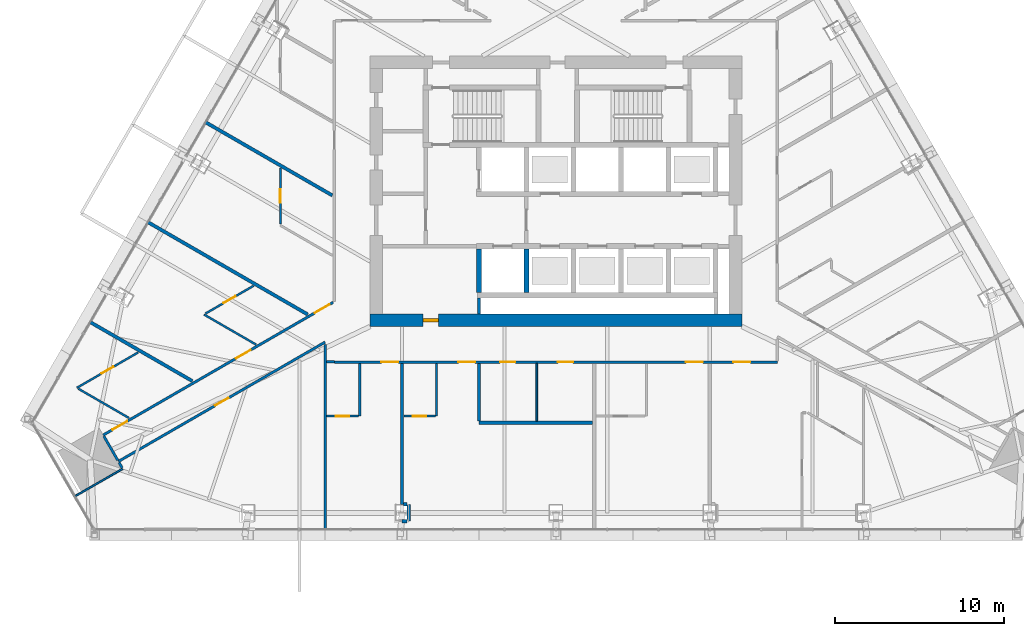
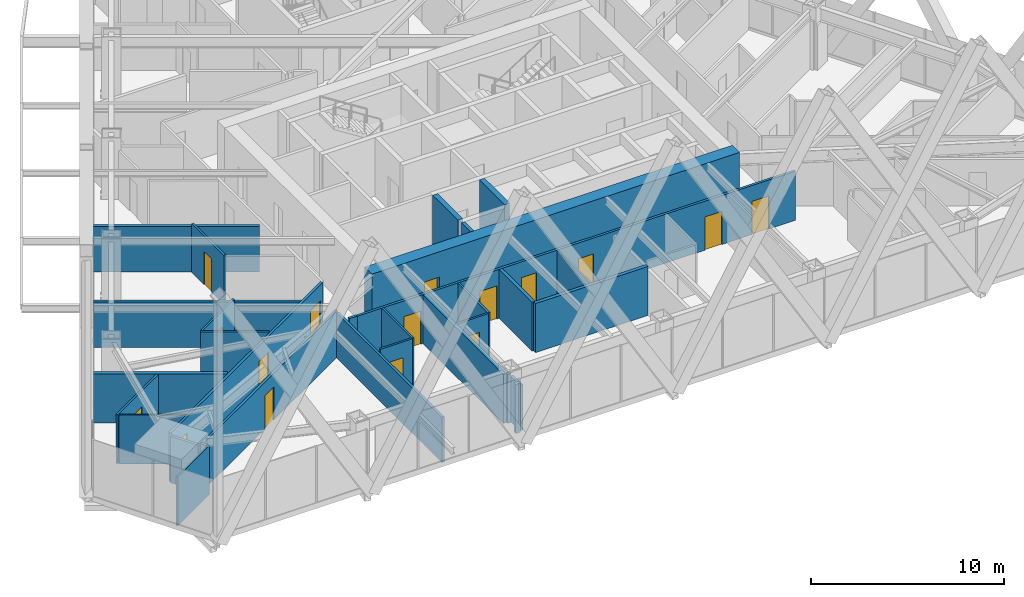
# One storey, part 15 of 26: 31 walls, 16 doors, 16 openings.
"""IFC4 building model written with IfcOpenShell, lengths in metres."""

from ifc_helpers import new_model, si_unit, direction, frame, frame_2d, origin, place, context, subcontext, project, spatial, rectangle, extrude, material, layer, layer_set, type_object, element, fill, save


model = new_model("IFC4")

# Units and contexts
model_context = context("Model", 3, precision=1e-05, world=origin(), true_north=direction((0.0, 1.0)))
body_context = subcontext(model_context, "Body", "Model", "MODEL_VIEW")
ifc_project = project(units=[si_unit("LENGTHUNIT", "METRE"), si_unit("AREAUNIT", "SQUARE_METRE"), si_unit("VOLUMEUNIT", "CUBIC_METRE"), si_unit("PLANEANGLEUNIT", "RADIAN"), si_unit("MASSUNIT", "GRAM", prefix="KILO")], contexts=[model_context])

# Site, building, storey
site_placement = place(None, origin())
site = spatial("IfcSite", under=ifc_project, at=site_placement, CompositionType="ELEMENT")
building_placement = place(site_placement, origin())
building = spatial("IfcBuilding", under=site, at=building_placement, Name="Firuza Gate Tower and Library", CompositionType="ELEMENT")
storey_placement = place(building_placement, frame((0.0, 0.0, 155.800048828125)))
storey = spatial("IfcBuildingStorey", under=building, at=storey_placement, Name="L35", CompositionType="ELEMENT", Elevation=155.800048828125)

# Walls
ifc_material_1 = material(Name="Plasterboard on steel studs", Category="steel")
ifc_layer_1 = layer(ifc_material_1, 0.199951171875)
ifc_layer_set_1 = layer_set([ifc_layer_1], Name="Core partition 200 EI 120")
wall_type_1 = type_object("IfcWallType", Name="Core partition 200 EI 120", PredefinedType="PARTITIONING", material=ifc_layer_set_1)
wall_1_placement = place(storey_placement, frame((70.449951171875, 67.75, 0.0), z_axis=(0.0, 0.0, 1.0), x_axis=(0.0, 1.0, 0.0)))
element("IfcWall", 1, at=wall_1_placement, inside=storey, type_object=wall_type_1, Name="Core partition L35 9", PredefinedType="PARTITIONING", context=body_context, shape_type="SweptSolid", body=[
    extrude(rectangle(XDim=0.949951171875, YDim=0.199951171875, at=frame_2d((0.47509765625, 0.0))), origin(), (0.0, 0.0, 1.0), 3.699951171875),
])
ifc_material_2 = material(Name="Concrete C80/95", Category="concrete")
ifc_layer_2 = layer(ifc_material_2, 0.300048828125)
ifc_layer_set_2 = layer_set([ifc_layer_2], Name="Core wall 300 C80/95")
wall_type_2 = type_object("IfcWallType", Name="Core wall 300 C80/95", PredefinedType="SHEAR", material=ifc_layer_set_2)
for number, where, z_axis, x_axis, name in (
    (2, (70.449951171875, 69.0, 0.0), (0.0, 0.0, 1.0), (0.0, 1.0, 0.0), "Core wall L35 8"),
    (3, (73.25, 69.0, 0.0), (0.0, 0.0, 1.0), (0.0, 1.0, 0.0), "Core wall L35 10"),
):
    element("IfcWall", number, at=place(storey_placement, frame(where, z_axis=z_axis, x_axis=x_axis)), inside=storey, type_object=wall_type_2, Name=name, PredefinedType="SHEAR", context=body_context, shape_type="SweptSolid", body=[
        extrude(rectangle(XDim=2.60009765625, YDim=0.300048828125, at=frame_2d((1.300048828125, 0.0))), origin(), (0.0, 0.0, 1.0), 3.699951171875),
    ])

# Wall, opening, door
ifc_material_3 = material(Name="Concrete C80/95", Category="concrete")
ifc_layer_3 = layer(ifc_material_3, 0.75)
ifc_layer_set_3 = layer_set([ifc_layer_3], Name="Core wall 750 C80/95")
wall_type_3 = type_object("IfcWallType", Name="Core wall 750 C80/95", PredefinedType="SHEAR", material=ifc_layer_set_3)
wall_2_placement = place(storey_placement, frame((64.0, 67.375, 0.0), z_axis=(0.0, 0.0, 1.0), x_axis=(1.0, 0.0, 0.0)))
wall_2 = element("IfcWall", 4, at=wall_2_placement, inside=storey, type_object=wall_type_3, Name="Core wall L35 1", PredefinedType="SHEAR", context=body_context, shape_type="SweptSolid", body=[
    extrude(rectangle(XDim=22.0, YDim=0.75, at=frame_2d((11.0, 0.0))), origin(), (0.0, 0.0, 1.0), 3.699951171875),
])
opening_1_placement = place(wall_2_placement, frame((3.14990234375, 0.0, 0.0)))
opening_1 = element("IfcOpeningElement", 5, at=opening_1_placement, cuts=wall_2, Name="Opening L35-K22", PredefinedType="OPENING", context=body_context, shape_type="SweptSolid", body=[
    extrude(rectangle(XDim=0.89990234375, YDim=2.10009765625, at=frame_2d((0.449951171875, 1.050048828125))), frame((0.0, 0.385009765625, 0.0), z_axis=(0.0, -1.0, 0.0), x_axis=(1.0, 0.0, 0.0)), (0.0, 0.0, 1.0), 0.77001953125),
])
ifc_material_4 = material(Name="Steel", Category="steel")
door_type_1 = type_object("IfcDoorType", Name="Fire door 900x2100 FD30S", OperationType="NOTDEFINED", PredefinedType="DOOR", material=ifc_material_4)
door_1_placement = place(opening_1_placement, origin())
door_1 = element("IfcDoor", 6, at=door_1_placement, inside=storey, type_object=door_type_1, Name="Door L35-K22", OperationType="SINGLE_SWING_LEFT", OverallHeight=2.10009765625, OverallWidth=0.89990234375, PredefinedType="DOOR", context=body_context, shape_type="SweptSolid", body=[
    extrude(rectangle(XDim=0.89990234375, YDim=2.10009765625, at=frame_2d((0.449951171875, 1.050048828125))), frame((0.0, 0.094970703125, 0.0), z_axis=(0.0, -1.0, 0.0), x_axis=(1.0, 0.0, 0.0)), (0.0, 0.0, 1.0), 0.18994140625),
])
fill(opening_1, door_1)

# Wall, openings, doors
ifc_material_5 = material(Name="Gypsum board partition")
ifc_layer_4 = layer(ifc_material_5, 0.14990234375)
ifc_layer_set_4 = layer_set([ifc_layer_4], Name="Corridor wall 150 double board on steel studs")
wall_type_4 = type_object("IfcWallType", Name="Corridor wall 150 double board on steel studs", PredefinedType="PARTITIONING", material=ifc_layer_set_4)
wall_3_placement = place(storey_placement, frame((88.10009765625, 64.89990234375, 0.0), z_axis=(0.0, 0.0, 1.0), x_axis=(-1.0, 0.0, 0.0)))
wall_3 = element("IfcWall", 7, at=wall_3_placement, inside=storey, type_object=wall_type_4, Name="f:L35:w011", PredefinedType="PARTITIONING", context=body_context, shape_type="SweptSolid", body=[
    extrude(rectangle(XDim=26.19970703125, YDim=0.14990234375, at=frame_2d((13.099853515625, 0.0))), origin(), (0.0, 0.0, 1.0), 3.099853515625),
])
opening_2_placement = place(wall_3_placement, frame((1.6015625, 0.0, 0.0)))
opening_2 = element("IfcOpeningElement", 8, at=opening_2_placement, cuts=wall_3, Name="Opening L35-04", PredefinedType="OPENING", context=body_context, shape_type="SweptSolid", body=[
    extrude(rectangle(XDim=1.0, YDim=2.10009765625, at=frame_2d((0.5, 1.050048828125))), frame((0.0, 0.0849609375, 0.0), z_axis=(0.0, -1.0, 0.0), x_axis=(1.0, 0.0, 0.0)), (0.0, 0.0, 1.0), 0.169921875),
])
opening_3_placement = place(wall_3_placement, frame((4.410888671875, 0.0, 0.0)))
opening_3 = element("IfcOpeningElement", 9, at=opening_3_placement, cuts=wall_3, Name="Opening L35-05", PredefinedType="OPENING", context=body_context, shape_type="SweptSolid", body=[
    extrude(rectangle(XDim=1.0, YDim=2.10009765625, at=frame_2d((0.5, 1.050048828125))), frame((0.0, 0.0849609375, 0.0), z_axis=(0.0, -1.0, 0.0), x_axis=(1.0, 0.0, 0.0)), (0.0, 0.0, 1.0), 0.169921875),
])
opening_4_placement = place(wall_3_placement, frame((12.081298828125, 0.0, 0.0)))
opening_4 = element("IfcOpeningElement", 10, at=opening_4_placement, cuts=wall_3, Name="Opening L35-06", PredefinedType="OPENING", context=body_context, shape_type="SweptSolid", body=[
    extrude(rectangle(XDim=0.89990234375, YDim=2.10009765625, at=frame_2d((0.449951171875, 1.050048828125))), frame((0.0, 0.0849609375, 0.0), z_axis=(0.0, -1.0, 0.0), x_axis=(1.0, 0.0, 0.0)), (0.0, 0.0, 1.0), 0.169921875),
])
opening_5_placement = place(wall_3_placement, frame((15.49365234375, 0.0, 0.0)))
opening_5 = element("IfcOpeningElement", 11, at=opening_5_placement, cuts=wall_3, Name="Opening L35-07", PredefinedType="OPENING", context=body_context, shape_type="SweptSolid", body=[
    extrude(rectangle(XDim=0.89990234375, YDim=2.10009765625, at=frame_2d((0.449951171875, 1.050048828125))), frame((0.0, 0.0849609375, 0.0), z_axis=(0.0, -1.0, 0.0), x_axis=(1.0, 0.0, 0.0)), (0.0, 0.0, 1.0), 0.169921875),
])
opening_6_placement = place(wall_3_placement, frame((17.873291015625, 0.0, 0.0)))
opening_6 = element("IfcOpeningElement", 12, at=opening_6_placement, cuts=wall_3, Name="Opening L35-08", PredefinedType="OPENING", context=body_context, shape_type="SweptSolid", body=[
    extrude(rectangle(XDim=1.0, YDim=2.10009765625, at=frame_2d((0.5, 1.050048828125))), frame((0.0, 0.0849609375, 0.0), z_axis=(0.0, -1.0, 0.0), x_axis=(1.0, 0.0, 0.0)), (0.0, 0.0, 1.0), 0.169921875),
])
opening_7_placement = place(wall_3_placement, frame((22.42333984375, 0.0, 0.0)))
opening_7 = element("IfcOpeningElement", 13, at=opening_7_placement, cuts=wall_3, Name="Opening L35-09", PredefinedType="OPENING", context=body_context, shape_type="SweptSolid", body=[
    extrude(rectangle(XDim=1.0, YDim=2.10009765625, at=frame_2d((0.5, 1.050048828125))), frame((0.0, 0.0849609375, 0.0), z_axis=(0.0, -1.0, 0.0), x_axis=(1.0, 0.0, 0.0)), (0.0, 0.0, 1.0), 0.169921875),
])
ifc_material_6 = material(Name="Steel door and timber leaf", Category="steel")
door_type_2 = type_object("IfcDoorType", Name="Fire door 1000 x 2100 steel frame, timber leaf", OperationType="NOTDEFINED", PredefinedType="DOOR", material=ifc_material_6)
door_2_placement = place(opening_2_placement, origin())
door_2 = element("IfcDoor", 14, at=door_2_placement, inside=storey, type_object=door_type_2, Name="f:L35:d004", OperationType="SINGLE_SWING_LEFT", OverallHeight=2.10009765625, OverallWidth=1.0, PredefinedType="DOOR", context=body_context, shape_type="SweptSolid", body=[
    extrude(rectangle(XDim=1.0, YDim=2.10009765625, at=frame_2d((0.5, 1.050048828125))), frame((0.0, 0.02490234375, 0.0), z_axis=(0.0, -1.0, 0.0), x_axis=(1.0, 0.0, 0.0)), (0.0, 0.0, 1.0), 0.050048828125),
])
fill(opening_2, door_2)
door_3_placement = place(opening_3_placement, origin())
door_3 = element("IfcDoor", 15, at=door_3_placement, inside=storey, type_object=door_type_2, Name="f:L35:d005", OperationType="SINGLE_SWING_LEFT", OverallHeight=2.10009765625, OverallWidth=1.0, PredefinedType="DOOR", context=body_context, shape_type="SweptSolid", body=[
    extrude(rectangle(XDim=1.0, YDim=2.10009765625, at=frame_2d((0.5, 1.050048828125))), frame((0.0, 0.02490234375, 0.0), z_axis=(0.0, -1.0, 0.0), x_axis=(1.0, 0.0, 0.0)), (0.0, 0.0, 1.0), 0.050048828125),
])
fill(opening_3, door_3)
door_4_placement = place(opening_6_placement, origin())
door_4 = element("IfcDoor", 16, at=door_4_placement, inside=storey, type_object=door_type_2, Name="f:L35:d008", OperationType="SINGLE_SWING_LEFT", OverallHeight=2.10009765625, OverallWidth=1.0, PredefinedType="DOOR", context=body_context, shape_type="SweptSolid", body=[
    extrude(rectangle(XDim=1.0, YDim=2.10009765625, at=frame_2d((0.5, 1.050048828125))), frame((0.0, 0.02490234375, 0.0), z_axis=(0.0, -1.0, 0.0), x_axis=(1.0, 0.0, 0.0)), (0.0, 0.0, 1.0), 0.050048828125),
])
fill(opening_6, door_4)
door_5_placement = place(opening_7_placement, origin())
door_5 = element("IfcDoor", 17, at=door_5_placement, inside=storey, type_object=door_type_2, Name="f:L35:d009", OperationType="SINGLE_SWING_LEFT", OverallHeight=2.10009765625, OverallWidth=1.0, PredefinedType="DOOR", context=body_context, shape_type="SweptSolid", body=[
    extrude(rectangle(XDim=1.0, YDim=2.10009765625, at=frame_2d((0.5, 1.050048828125))), frame((0.0, 0.02490234375, 0.0), z_axis=(0.0, -1.0, 0.0), x_axis=(1.0, 0.0, 0.0)), (0.0, 0.0, 1.0), 0.050048828125),
])
fill(opening_7, door_5)
ifc_material_7 = material(Name="Steel door and timber leaf", Category="steel")
door_type_3 = type_object("IfcDoorType", Name="Fire door 900 x 2100 steel frame, timber leaf", OperationType="NOTDEFINED", PredefinedType="DOOR", material=ifc_material_7)
door_6_placement = place(opening_4_placement, origin())
door_6 = element("IfcDoor", 18, at=door_6_placement, inside=storey, type_object=door_type_3, Name="f:L35:d006", OperationType="SINGLE_SWING_RIGHT", OverallHeight=2.10009765625, OverallWidth=0.89990234375, PredefinedType="DOOR", context=body_context, shape_type="SweptSolid", body=[
    extrude(rectangle(XDim=0.89990234375, YDim=2.10009765625, at=frame_2d((0.449951171875, 1.050048828125))), frame((0.0, 0.02490234375, 0.0), z_axis=(0.0, -1.0, 0.0), x_axis=(1.0, 0.0, 0.0)), (0.0, 0.0, 1.0), 0.050048828125),
])
fill(opening_4, door_6)
door_7_placement = place(opening_5_placement, origin())
door_7 = element("IfcDoor", 19, at=door_7_placement, inside=storey, type_object=door_type_3, Name="f:L35:d007", OperationType="SINGLE_SWING_LEFT", OverallHeight=2.10009765625, OverallWidth=0.89990234375, PredefinedType="DOOR", context=body_context, shape_type="SweptSolid", body=[
    extrude(rectangle(XDim=0.89990234375, YDim=2.10009765625, at=frame_2d((0.449951171875, 1.050048828125))), frame((0.0, 0.02490234375, 0.0), z_axis=(0.0, -1.0, 0.0), x_axis=(1.0, 0.0, 0.0)), (0.0, 0.0, 1.0), 0.050048828125),
])
fill(opening_5, door_7)

# Wall
wall_4_placement = place(storey_placement, frame((61.425048828125, 64.9189453125, 0.0), z_axis=(0.0, 0.0, 1.0), x_axis=(1.0, 0.0, 0.0)))
element("IfcWall", 20, at=wall_4_placement, inside=storey, type_object=wall_type_4, Name="f:L35:w012", PredefinedType="PARTITIONING", context=body_context, shape_type="SweptSolid", body=[
    extrude(rectangle(XDim=0.474853515625, YDim=0.14990234375, at=frame_2d((0.2373046875, 0.0))), origin(), (0.0, 0.0, 1.0), 3.099853515625),
])

# Wall, opening, door
wall_5_placement = place(storey_placement, frame((61.349853515625, 66.080078125, 0.0), z_axis=(0.0, 0.0, 1.0), x_axis=(-0.86602031485, -0.50000881419, 0.0)))
wall_5 = element("IfcWall", 21, at=wall_5_placement, inside=storey, type_object=wall_type_4, Name="f:L35:w036", PredefinedType="PARTITIONING", context=body_context, shape_type="SweptSolid", body=[
    extrude(rectangle(XDim=14.120361328125, YDim=0.14990234375, at=frame_2d((7.06005859375, 0.0))), origin(), (0.0, 0.0, 1.0), 2.947021484375),
])
opening_8_placement = place(wall_5_placement, frame((6.6103515625, 0.0, 0.0)))
opening_8 = element("IfcOpeningElement", 22, at=opening_8_placement, cuts=wall_5, Name="Opening L35-19", PredefinedType="OPENING", context=body_context, shape_type="SweptSolid", body=[
    extrude(rectangle(XDim=0.89990234375, YDim=2.10009765625, at=frame_2d((0.449951171875, 1.050048828125))), frame((0.0, 0.0849609375, 0.0), z_axis=(0.0, -1.0, 0.0), x_axis=(1.0, 0.0, 0.0)), (0.0, 0.0, 1.0), 0.169921875),
])
door_8_placement = place(opening_8_placement, origin())
door_8 = element("IfcDoor", 23, at=door_8_placement, inside=storey, type_object=door_type_3, Name="f:L35:d019", OperationType="SINGLE_SWING_RIGHT", OverallHeight=2.10009765625, OverallWidth=0.89990234375, PredefinedType="DOOR", context=body_context, shape_type="SweptSolid", body=[
    extrude(rectangle(XDim=0.89990234375, YDim=2.10009765625, at=frame_2d((0.449951171875, 1.050048828125))), frame((0.0, 0.02490234375, 0.0), z_axis=(0.0, -1.0, 0.0), x_axis=(1.0, 0.0, 0.0)), (0.0, 0.0, 1.0), 0.050048828125),
])
fill(opening_8, door_8)

# Wall, openings, doors
wall_6_placement = place(storey_placement, frame((48.2216796875, 60.578857421875, 0.0), z_axis=(0.0, 0.0, 1.0), x_axis=(0.866027958894, 0.499995574394, 0.0)))
wall_6 = element("IfcWall", 24, at=wall_6_placement, inside=storey, type_object=wall_type_4, Name="f:L35:w037", PredefinedType="PARTITIONING", context=body_context, shape_type="SweptSolid", body=[
    extrude(rectangle(XDim=15.707763671875, YDim=0.14990234375, at=frame_2d((7.85400390625, 0.0))), origin(), (0.0, 0.0, 1.0), 3.099853515625),
])
opening_9_placement = place(wall_6_placement, frame((0.64111328125, 0.0, 0.0)))
opening_9 = element("IfcOpeningElement", 25, at=opening_9_placement, cuts=wall_6, Name="Opening L35-20", PredefinedType="OPENING", context=body_context, shape_type="SweptSolid", body=[
    extrude(rectangle(XDim=1.0, YDim=2.10009765625, at=frame_2d((0.5, 1.050048828125))), frame((0.0, 0.0849609375, 0.0), z_axis=(0.0, -1.0, 0.0), x_axis=(1.0, 0.0, 0.0)), (0.0, 0.0, 1.0), 0.169921875),
])
opening_10_placement = place(wall_6_placement, frame((9.075439453125, 0.0, 0.0)))
opening_10 = element("IfcOpeningElement", 26, at=opening_10_placement, cuts=wall_6, Name="Opening L35-21", PredefinedType="OPENING", context=body_context, shape_type="SweptSolid", body=[
    extrude(rectangle(XDim=1.0, YDim=2.10009765625, at=frame_2d((0.5, 1.050048828125))), frame((0.0, 0.0849609375, 0.0), z_axis=(0.0, -1.0, 0.0), x_axis=(1.0, 0.0, 0.0)), (0.0, 0.0, 1.0), 0.169921875),
])
opening_11_placement = place(wall_6_placement, frame((14.448974609375, 0.0, 0.0)))
opening_11 = element("IfcOpeningElement", 27, at=opening_11_placement, cuts=wall_6, Name="Opening L35-22", PredefinedType="OPENING", context=body_context, shape_type="SweptSolid", body=[
    extrude(rectangle(XDim=1.0, YDim=2.10009765625, at=frame_2d((0.5, 1.050048828125))), frame((0.0, 0.0849609375, 0.0), z_axis=(0.0, -1.0, 0.0), x_axis=(1.0, 0.0, 0.0)), (0.0, 0.0, 1.0), 0.169921875),
])
door_9_placement = place(opening_9_placement, origin())
door_9 = element("IfcDoor", 28, at=door_9_placement, inside=storey, type_object=door_type_2, Name="f:L35:d020", OperationType="SINGLE_SWING_LEFT", OverallHeight=2.10009765625, OverallWidth=1.0, PredefinedType="DOOR", context=body_context, shape_type="SweptSolid", body=[
    extrude(rectangle(XDim=1.0, YDim=2.10009765625, at=frame_2d((0.5, 1.050048828125))), frame((0.0, 0.02490234375, 0.0), z_axis=(0.0, -1.0, 0.0), x_axis=(1.0, 0.0, 0.0)), (0.0, 0.0, 1.0), 0.050048828125),
])
fill(opening_9, door_9)
door_10_placement = place(opening_10_placement, origin())
door_10 = element("IfcDoor", 29, at=door_10_placement, inside=storey, type_object=door_type_2, Name="f:L35:d021", OperationType="SINGLE_SWING_LEFT", OverallHeight=2.10009765625, OverallWidth=1.0, PredefinedType="DOOR", context=body_context, shape_type="SweptSolid", body=[
    extrude(rectangle(XDim=1.0, YDim=2.10009765625, at=frame_2d((0.5, 1.050048828125))), frame((0.0, 0.02490234375, 0.0), z_axis=(0.0, -1.0, 0.0), x_axis=(1.0, 0.0, 0.0)), (0.0, 0.0, 1.0), 0.050048828125),
])
fill(opening_10, door_10)
door_11_placement = place(opening_11_placement, origin())
door_11 = element("IfcDoor", 30, at=door_11_placement, inside=storey, type_object=door_type_2, Name="f:L35:d022", OperationType="SINGLE_SWING_LEFT", OverallHeight=2.10009765625, OverallWidth=1.0, PredefinedType="DOOR", context=body_context, shape_type="SweptSolid", body=[
    extrude(rectangle(XDim=1.0, YDim=2.10009765625, at=frame_2d((0.5, 1.050048828125))), frame((0.0, 0.02490234375, 0.0), z_axis=(0.0, -1.0, 0.0), x_axis=(1.0, 0.0, 0.0)), (0.0, 0.0, 1.0), 0.050048828125),
])
fill(opening_11, door_11)

# Walls
wall_7_placement = place(storey_placement, frame((61.35009765625, 55.021484375, 0.0), z_axis=(0.0, 0.0, 1.0), x_axis=(0.0, 1.0, 0.0)))
element("IfcWall", 31, at=wall_7_placement, inside=storey, type_object=wall_type_4, Name="f:L35:w084", PredefinedType="PARTITIONING", context=body_context, shape_type="SweptSolid", body=[
    extrude(rectangle(XDim=10.921875, YDim=0.14990234375, at=frame_2d((5.4609375, 0.0))), origin(), (0.0, 0.0, 1.0), 2.864990234375),
])
wall_8_placement = place(storey_placement, frame((49.345947265625, 58.63037109375, 0.0), z_axis=(0.0, 0.0, 1.0), x_axis=(-0.499854089722, 0.866109628736, 0.0)))
element("IfcWall", 32, at=wall_8_placement, inside=storey, type_object=wall_type_4, Name="f:L35:w091", PredefinedType="PARTITIONING", context=body_context, shape_type="SweptSolid", body=[
    extrude(rectangle(XDim=0.37451171875, YDim=0.14990234375, at=frame_2d((0.187255859375, 0.0))), origin(), (0.0, 0.0, 1.0), 3.099853515625),
])
wall_9_placement = place(storey_placement, frame((49.083740234375, 59.084716796875, 0.0), z_axis=(0.0, 0.0, 1.0), x_axis=(-0.499991515992, 0.866030301974, 0.0)))
element("IfcWall", 33, at=wall_9_placement, inside=storey, type_object=wall_type_4, Name="f:L35:w119", PredefinedType="PARTITIONING", context=body_context, shape_type="SweptSolid", body=[
    extrude(rectangle(XDim=1.6494140625, YDim=0.14990234375, at=frame_2d((0.82470703125, 0.0))), origin(), (0.0, 0.0, 1.0), 2.947021484375),
])
ifc_material_8 = material(Name="Gypsum board partition")
ifc_layer_5 = layer(ifc_material_8, 0.199951171875)
ifc_layer_set_5 = layer_set([ifc_layer_5], Name="Demising wall 200 acoustic double stud")
wall_type_5 = type_object("IfcWallType", Name="Demising wall 200 acoustic double stud", PredefinedType="PARTITIONING", material=ifc_layer_set_5)
wall_10_placement = place(storey_placement, frame((65.89990234375, 55.48095703125, 0.0), z_axis=(0.0, 0.0, 1.0), x_axis=(1.0, 0.0, 0.0)))
element("IfcWall", 34, at=wall_10_placement, inside=storey, type_object=wall_type_5, Name="f:L35:w000", PredefinedType="PARTITIONING", context=body_context, shape_type="SweptSolid", body=[
    extrude(rectangle(XDim=0.299560546875, YDim=0.199951171875, at=frame_2d((0.14990234375, 0.0))), origin(), (0.0, 0.0, 1.0), 3.099853515625),
])
wall_11_placement = place(storey_placement, frame((66.0, 56.48095703125, 0.0), z_axis=(0.0, 0.0, 1.0), x_axis=(1.0, 0.0, 0.0)))
element("IfcWall", 35, at=wall_11_placement, inside=storey, type_object=wall_type_5, Name="f:L35:w003", PredefinedType="PARTITIONING", context=body_context, shape_type="SweptSolid", body=[
    extrude(rectangle(XDim=0.199462890625, YDim=0.199951171875, at=frame_2d((0.099609375, 0.0))), origin(), (0.0, 0.0, 1.0), 3.099853515625),
])
wall_12_placement = place(storey_placement, frame((70.449951171875, 61.300048828125, 0.0), z_axis=(0.0, 0.0, 1.0), x_axis=(1.0, 0.0, 0.0)))
element("IfcWall", 36, at=wall_12_placement, inside=storey, type_object=wall_type_5, Name="f:L35:w006", PredefinedType="PARTITIONING", context=body_context, shape_type="SweptSolid", body=[
    extrude(rectangle(XDim=6.72509765625, YDim=0.199951171875, at=frame_2d((3.362548828125, 0.0))), origin(), (0.0, 0.0, 1.0), 3.099853515625),
])
wall_13_placement = place(storey_placement, frame((70.449951171875, 61.39990234375, 0.0), z_axis=(0.0, 0.0, 1.0), x_axis=(0.0, 1.0, 0.0)))
element("IfcWall", 37, at=wall_13_placement, inside=storey, type_object=wall_type_5, Name="f:L35:w075", PredefinedType="PARTITIONING", context=body_context, shape_type="SweptSolid", body=[
    extrude(rectangle(XDim=3.425048828125, YDim=0.199951171875, at=frame_2d((1.71240234375, 0.0))), origin(), (0.0, 0.0, 1.0), 3.099853515625),
])
wall_14_placement = place(storey_placement, frame((66.300048828125, 55.48193359375, 0.0), z_axis=(0.0, 0.0, 1.0), x_axis=(0.0, 1.0, 0.0)))
element("IfcWall", 38, at=wall_14_placement, inside=storey, type_object=wall_type_5, Name="f:L35:w080", PredefinedType="PARTITIONING", context=body_context, shape_type="SweptSolid", body=[
    extrude(rectangle(XDim=0.9990234375, YDim=0.199951171875, at=frame_2d((0.49951171875, 0.0))), origin(), (0.0, 0.0, 1.0), 2.864990234375),
])
wall_15_placement = place(storey_placement, frame((65.89990234375, 56.4814453125, 0.0), z_axis=(0.0, 0.0, 1.0), x_axis=(0.0, 1.0, 0.0)))
element("IfcWall", 39, at=wall_15_placement, inside=storey, type_object=wall_type_5, Name="f:L35:w081", PredefinedType="PARTITIONING", context=body_context, shape_type="SweptSolid", body=[
    extrude(rectangle(XDim=8.343505859375, YDim=0.199951171875, at=frame_2d((4.171875, 0.0))), origin(), (0.0, 0.0, 1.0), 3.099853515625),
])
wall_16_placement = place(storey_placement, frame((61.773193359375, 74.755859375, 0.0), z_axis=(0.0, 0.0, 1.0), x_axis=(-0.866022413045, 0.500005180077, 0.0)))
element("IfcWall", 40, at=wall_16_placement, inside=storey, type_object=wall_type_5, Name="f:L35:w112", PredefinedType="PARTITIONING", context=body_context, shape_type="SweptSolid", body=[
    extrude(rectangle(XDim=8.64599609375, YDim=0.199951171875, at=frame_2d((4.322998046875, 0.0))), origin(), (0.0, 0.0, 1.0), 2.864990234375),
])
wall_17_placement = place(storey_placement, frame((60.322998046875, 67.712158203125, 0.0), z_axis=(0.0, 0.0, 1.0), x_axis=(-0.866020529357, 0.500008442661, 0.0)))
element("IfcWall", 41, at=wall_17_placement, inside=storey, type_object=wall_type_5, Name="f:L35:w114", PredefinedType="PARTITIONING", context=body_context, shape_type="SweptSolid", body=[
    extrude(rectangle(XDim=10.911865234375, YDim=0.199951171875, at=frame_2d((5.4560546875, 0.0))), origin(), (0.0, 0.0, 1.0), 2.864990234375),
])
wall_18_placement = place(storey_placement, frame((53.498046875, 63.771728515625, 0.0), z_axis=(0.0, 0.0, 1.0), x_axis=(-0.866014709899, 0.500018521895, 0.0)))
element("IfcWall", 42, at=wall_18_placement, inside=storey, type_object=wall_type_5, Name="f:L35:w116", PredefinedType="PARTITIONING", context=body_context, shape_type="SweptSolid", body=[
    extrude(rectangle(XDim=6.971435546875, YDim=0.199951171875, at=frame_2d((3.48583984375, 0.0))), origin(), (0.0, 0.0, 1.0), 3.099853515625),
])
ifc_material_9 = material(Name="Gypsum board partition")
ifc_layer_6 = layer(ifc_material_9, 0.10009765625)
ifc_layer_set_6 = layer_set([ifc_layer_6], Name="Partition 100 gypsum board on steel studs")
wall_type_6 = type_object("IfcWallType", Name="Partition 100 gypsum board on steel studs", PredefinedType="PARTITIONING", material=ifc_layer_set_6)
wall_19_placement = place(storey_placement, frame((46.548095703125, 56.956787109375, 0.0), z_axis=(0.0, 0.0, 1.0), x_axis=(0.866035906198, 0.499981808845, 0.0)))
element("IfcWall", 43, at=wall_19_placement, inside=storey, type_object=wall_type_6, Name="f:L35:w035", PredefinedType="PARTITIONING", context=body_context, shape_type="SweptSolid", body=[
    extrude(rectangle(XDim=3.25927734375, YDim=0.10009765625, at=frame_2d((1.629638671875, 0.0))), origin(), (0.0, 0.0, 1.0), 3.099853515625),
])
wall_20_placement = place(storey_placement, frame((73.863037109375, 61.39990234375, 0.0), z_axis=(0.0, 0.0, 1.0), x_axis=(0.0, 1.0, 0.0)))
element("IfcWall", 44, at=wall_20_placement, inside=storey, type_object=wall_type_6, Name="f:L35:w071", PredefinedType="PARTITIONING", context=body_context, shape_type="SweptSolid", body=[
    extrude(rectangle(XDim=3.425048828125, YDim=0.10009765625, at=frame_2d((1.71240234375, 0.0))), origin(), (0.0, 0.0, 1.0), 3.099853515625),
])

# Wall, opening, door
ifc_material_10 = material(Name="Gypsum board partition")
ifc_layer_7 = layer(ifc_material_10, 0.1201171875)
ifc_layer_set_7 = layer_set([ifc_layer_7], Name="Wet-area partition 120 moisture-resistant board")
wall_type_7 = type_object("IfcWallType", Name="Wet-area partition 120 moisture-resistant board", PredefinedType="PARTITIONING", material=ifc_layer_set_7)
wall_21_placement = place(storey_placement, frame((61.425048828125, 61.699951171875, 0.0), z_axis=(0.0, 0.0, 1.0), x_axis=(1.0, 0.0, 0.0)))
wall_21 = element("IfcWall", 45, at=wall_21_placement, inside=storey, type_object=wall_type_7, Name="f:L35:w007", PredefinedType="PARTITIONING", context=body_context, shape_type="SweptSolid", body=[
    extrude(rectangle(XDim=1.912353515625, YDim=0.1201171875, at=frame_2d((0.9560546875, 0.0))), origin(), (0.0, 0.0, 1.0), 3.099853515625),
])
opening_12_placement = place(wall_21_placement, frame((0.55615234375, 0.0, 0.0)))
opening_12 = element("IfcOpeningElement", 46, at=opening_12_placement, cuts=wall_21, Name="Opening L35-01", PredefinedType="OPENING", context=body_context, shape_type="SweptSolid", body=[
    extrude(rectangle(XDim=0.800048828125, YDim=2.10009765625, at=frame_2d((0.39990234375, 1.050048828125))), frame((0.0, 0.070068359375, 0.0), z_axis=(0.0, -1.0, 0.0), x_axis=(1.0, 0.0, 0.0)), (0.0, 0.0, 1.0), 0.14013671875),
])
ifc_material_11 = material(Name="Timber door", Category="wood")
door_type_4 = type_object("IfcDoorType", Name="Door 800 x 2100 timber leaf", OperationType="NOTDEFINED", PredefinedType="DOOR", material=ifc_material_11)
door_12_placement = place(opening_12_placement, origin())
door_12 = element("IfcDoor", 47, at=door_12_placement, inside=storey, type_object=door_type_4, Name="f:L35:d001", OperationType="SINGLE_SWING_LEFT", OverallHeight=2.10009765625, OverallWidth=0.800048828125, PredefinedType="DOOR", context=body_context, shape_type="SweptSolid", body=[
    extrude(rectangle(XDim=0.800048828125, YDim=2.10009765625, at=frame_2d((0.39990234375, 1.050048828125))), frame((0.0, 0.02490234375, 0.0), z_axis=(0.0, -1.0, 0.0), x_axis=(1.0, 0.0, 0.0)), (0.0, 0.0, 1.0), 0.050048828125),
])
fill(opening_12, door_12)

wall_22_placement = place(storey_placement, frame((66.0, 61.699951171875, 0.0), z_axis=(0.0, 0.0, 1.0), x_axis=(1.0, 0.0, 0.0)))
wall_22 = element("IfcWall", 48, at=wall_22_placement, inside=storey, type_object=wall_type_7, Name="f:L35:w008", PredefinedType="PARTITIONING", context=body_context, shape_type="SweptSolid", body=[
    extrude(rectangle(XDim=1.887451171875, YDim=0.1201171875, at=frame_2d((0.94384765625, 0.0))), origin(), (0.0, 0.0, 1.0), 3.099853515625),
])
opening_13_placement = place(wall_22_placement, frame((0.543701171875, 0.0, 0.0)))
opening_13 = element("IfcOpeningElement", 49, at=opening_13_placement, cuts=wall_22, Name="Opening L35-02", PredefinedType="OPENING", context=body_context, shape_type="SweptSolid", body=[
    extrude(rectangle(XDim=0.800048828125, YDim=2.10009765625, at=frame_2d((0.39990234375, 1.050048828125))), frame((0.0, 0.070068359375, 0.0), z_axis=(0.0, -1.0, 0.0), x_axis=(1.0, 0.0, 0.0)), (0.0, 0.0, 1.0), 0.14013671875),
])
door_13_placement = place(opening_13_placement, origin())
door_13 = element("IfcDoor", 50, at=door_13_placement, inside=storey, type_object=door_type_4, Name="f:L35:d002", OperationType="SINGLE_SWING_LEFT", OverallHeight=2.10009765625, OverallWidth=0.800048828125, PredefinedType="DOOR", context=body_context, shape_type="SweptSolid", body=[
    extrude(rectangle(XDim=0.800048828125, YDim=2.10009765625, at=frame_2d((0.39990234375, 1.050048828125))), frame((0.0, 0.02490234375, 0.0), z_axis=(0.0, -1.0, 0.0), x_axis=(1.0, 0.0, 0.0)), (0.0, 0.0, 1.0), 0.050048828125),
])
fill(opening_13, door_13)

wall_23_placement = place(storey_placement, frame((50.290283203125, 65.46826171875, 0.0), z_axis=(0.0, 0.0, 1.0), x_axis=(-0.866011945653, -0.500023309443, 0.0)))
wall_23 = element("IfcWall", 51, at=wall_23_placement, inside=storey, type_object=wall_type_7, Name="f:L35:w039", PredefinedType="PARTITIONING", context=body_context, shape_type="SweptSolid", body=[
    extrude(rectangle(XDim=4.191162109375, YDim=0.1201171875, at=frame_2d((2.095703125, 0.0))), origin(), (0.0, 0.0, 1.0), 3.099853515625),
])
opening_14_placement = place(wall_23_placement, frame((1.695556640625, 0.0, 0.0)))
opening_14 = element("IfcOpeningElement", 52, at=opening_14_placement, cuts=wall_23, Name="Opening L35-23", PredefinedType="OPENING", context=body_context, shape_type="SweptSolid", body=[
    extrude(rectangle(XDim=0.800048828125, YDim=2.10009765625, at=frame_2d((0.39990234375, 1.050048828125))), frame((0.0, 0.070068359375, 0.0), z_axis=(0.0, -1.0, 0.0), x_axis=(1.0, 0.0, 0.0)), (0.0, 0.0, 1.0), 0.14013671875),
])
door_14_placement = place(opening_14_placement, origin())
door_14 = element("IfcDoor", 53, at=door_14_placement, inside=storey, type_object=door_type_4, Name="f:L35:d023", OperationType="SINGLE_SWING_LEFT", OverallHeight=2.10009765625, OverallWidth=0.800048828125, PredefinedType="DOOR", context=body_context, shape_type="SweptSolid", body=[
    extrude(rectangle(XDim=0.800048828125, YDim=2.10009765625, at=frame_2d((0.39990234375, 1.050048828125))), frame((0.0, 0.02490234375, 0.0), z_axis=(0.0, -1.0, 0.0), x_axis=(1.0, 0.0, 0.0)), (0.0, 0.0, 1.0), 0.050048828125),
])
fill(opening_14, door_14)

wall_24_placement = place(storey_placement, frame((57.115234375, 69.40869140625, 0.0), z_axis=(0.0, 0.0, 1.0), x_axis=(-0.866004692627, -0.500035871061, 0.0)))
wall_24 = element("IfcWall", 54, at=wall_24_placement, inside=storey, type_object=wall_type_7, Name="f:L35:w040", PredefinedType="PARTITIONING", context=body_context, shape_type="SweptSolid", body=[
    extrude(rectangle(XDim=3.281494140625, YDim=0.1201171875, at=frame_2d((1.640625, 0.0))), origin(), (0.0, 0.0, 1.0), 3.099853515625),
])
opening_15_placement = place(wall_24_placement, frame((1.24072265625, 0.0, 0.0)))
opening_15 = element("IfcOpeningElement", 55, at=opening_15_placement, cuts=wall_24, Name="Opening L35-24", PredefinedType="OPENING", context=body_context, shape_type="SweptSolid", body=[
    extrude(rectangle(XDim=0.800048828125, YDim=2.10009765625, at=frame_2d((0.39990234375, 1.050048828125))), frame((0.0, 0.070068359375, 0.0), z_axis=(0.0, -1.0, 0.0), x_axis=(1.0, 0.0, 0.0)), (0.0, 0.0, 1.0), 0.14013671875),
])
door_15_placement = place(opening_15_placement, origin())
door_15 = element("IfcDoor", 56, at=door_15_placement, inside=storey, type_object=door_type_4, Name="f:L35:d024", OperationType="SINGLE_SWING_LEFT", OverallHeight=2.10009765625, OverallWidth=0.800048828125, PredefinedType="DOOR", context=body_context, shape_type="SweptSolid", body=[
    extrude(rectangle(XDim=0.800048828125, YDim=2.10009765625, at=frame_2d((0.39990234375, 1.050048828125))), frame((0.0, 0.02490234375, 0.0), z_axis=(0.0, -1.0, 0.0), x_axis=(1.0, 0.0, 0.0)), (0.0, 0.0, 1.0), 0.050048828125),
])
fill(opening_15, door_15)

# Walls
for number, where, z_axis, x_axis, name in (
    (57, (67.947998046875, 61.699951171875, 0.0), (0.0, 0.0, 1.0), (0.0, 1.0, 0.0), "f:L35:w077"),
    (58, (63.39794921875, 61.699951171875, 0.0), (0.0, 0.0, 1.0), (0.0, 1.0, 0.0), "f:L35:w082"),
):
    element("IfcWall", number, at=place(storey_placement, frame(where, z_axis=z_axis, x_axis=x_axis)), inside=storey, type_object=wall_type_7, Name=name, PredefinedType="PARTITIONING", context=body_context, shape_type="SweptSolid", body=[
        extrude(rectangle(XDim=3.125, YDim=0.1201171875, at=frame_2d((1.5625, 0.0))), origin(), (0.0, 0.0, 1.0), 3.099853515625),
    ])

# Wall, opening, door
wall_25_placement = place(storey_placement, frame((58.699951171875, 76.37451171875, 0.0), z_axis=(0.0, 0.0, 1.0), x_axis=(0.0, -1.0, 0.0)))
wall_25 = element("IfcWall", 59, at=wall_25_placement, inside=storey, type_object=wall_type_7, Name="f:L35:w085", PredefinedType="PARTITIONING", context=body_context, shape_type="SweptSolid", body=[
    extrude(rectangle(XDim=3.321533203125, YDim=0.1201171875, at=frame_2d((1.66064453125, 0.0))), origin(), (0.0, 0.0, 1.0), 3.099853515625),
])
opening_16_placement = place(wall_25_placement, frame((1.2607421875, 0.0, 0.0)))
opening_16 = element("IfcOpeningElement", 60, at=opening_16_placement, cuts=wall_25, Name="Opening L35-41", PredefinedType="OPENING", context=body_context, shape_type="SweptSolid", body=[
    extrude(rectangle(XDim=0.800048828125, YDim=2.10009765625, at=frame_2d((0.39990234375, 1.050048828125))), frame((0.0, 0.070068359375, 0.0), z_axis=(0.0, -1.0, 0.0), x_axis=(1.0, 0.0, 0.0)), (0.0, 0.0, 1.0), 0.14013671875),
])
door_16_placement = place(opening_16_placement, origin())
door_16 = element("IfcDoor", 61, at=door_16_placement, inside=storey, type_object=door_type_4, Name="f:L35:d041", OperationType="SINGLE_SWING_LEFT", OverallHeight=2.10009765625, OverallWidth=0.800048828125, PredefinedType="DOOR", context=body_context, shape_type="SweptSolid", body=[
    extrude(rectangle(XDim=0.800048828125, YDim=2.10009765625, at=frame_2d((0.39990234375, 1.050048828125))), frame((0.0, 0.02490234375, 0.0), z_axis=(0.0, -1.0, 0.0), x_axis=(1.0, 0.0, 0.0)), (0.0, 0.0, 1.0), 0.050048828125),
])
fill(opening_16, door_16)

# Walls
wall_26_placement = place(storey_placement, frame((57.269287109375, 65.92919921875, 0.0), z_axis=(0.0, 0.0, 1.0), x_axis=(-0.866028357664, 0.499994883695, 0.0)))
element("IfcWall", 62, at=wall_26_placement, inside=storey, type_object=wall_type_7, Name="f:L35:w115", PredefinedType="PARTITIONING", context=body_context, shape_type="SweptSolid", body=[
    extrude(rectangle(XDim=3.568359375, YDim=0.1201171875, at=frame_2d((1.7841796875, 0.0))), origin(), (0.0, 0.0, 1.0), 3.099853515625),
])
wall_27_placement = place(storey_placement, frame((49.751220703125, 61.588623046875, 0.0), z_axis=(0.0, 0.0, 1.0), x_axis=(-0.865997524453, 0.50004828531, 0.0)))
element("IfcWall", 63, at=wall_27_placement, inside=storey, type_object=wall_type_7, Name="f:L35:w117", PredefinedType="PARTITIONING", context=body_context, shape_type="SweptSolid", body=[
    extrude(rectangle(XDim=3.459228515625, YDim=0.1201171875, at=frame_2d((1.7294921875, 0.0))), origin(), (0.0, 0.0, 1.0), 3.099853515625),
])

save(model, "model.ifc")
